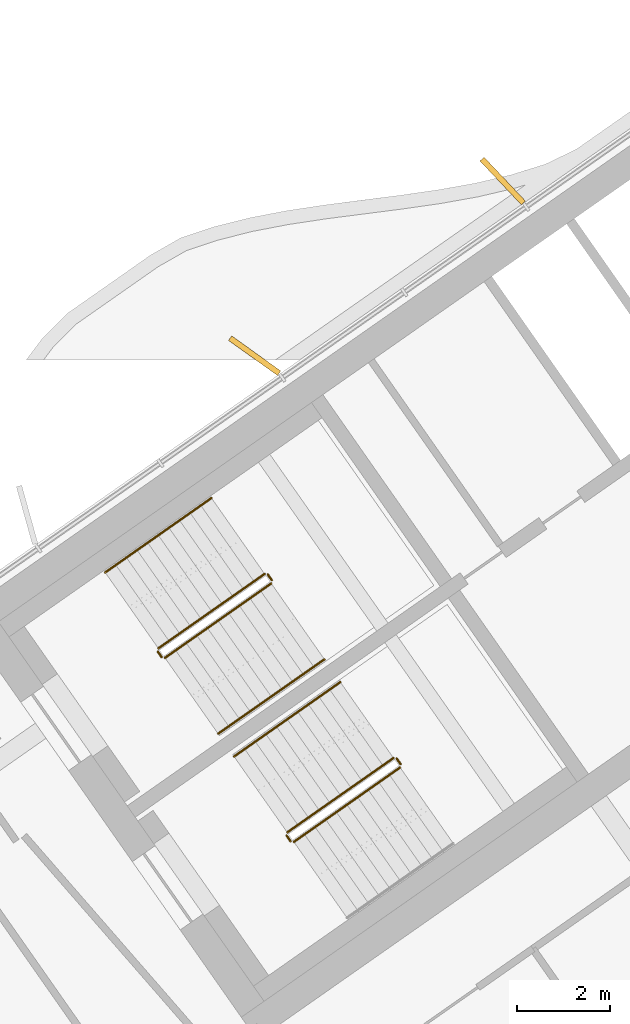
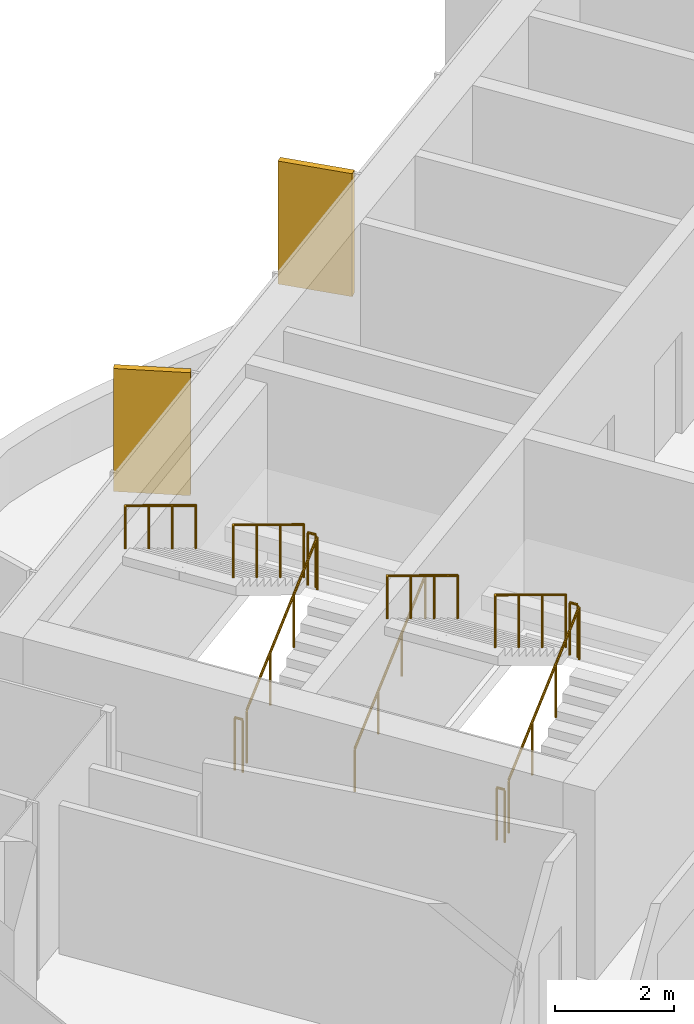
# One storey, part 14 of 17: 11 railings, 2 shading devices.
"""IFC4 building model written with IfcOpenShell, lengths in metres."""

from ifc_helpers import new_model, si_unit, direction, frame, origin, origin_2d, place, context, subcontext, project, spatial, rectangle, circle, extrude, material, layer, layer_set, type_object, element, save


model = new_model("IFC4")

# Units and contexts
model_context = context("Model", 3, precision=1e-05, world=origin(), true_north=direction((0.0, 1.0)))
body_context = subcontext(model_context, "Body", "Model", "MODEL_VIEW")
ifc_project = project(units=[si_unit("LENGTHUNIT", "METRE"), si_unit("AREAUNIT", "SQUARE_METRE"), si_unit("VOLUMEUNIT", "CUBIC_METRE"), si_unit("PLANEANGLEUNIT", "RADIAN"), si_unit("MASSUNIT", "GRAM", prefix="KILO")], contexts=[model_context])

# Site, building, storey
site_placement = place(None, origin())
site = spatial("IfcSite", under=ifc_project, at=site_placement, CompositionType="ELEMENT")
building_placement = place(site_placement, origin())
building = spatial("IfcBuilding", under=site, at=building_placement, Name="Tel Ilan Convention Tower", CompositionType="ELEMENT")
storey_placement = place(building_placement, frame((0.0, 0.0, 276.10009765625)))
storey = spatial("IfcBuildingStorey", under=building, at=storey_placement, Name="L65", CompositionType="ELEMENT", Elevation=276.10009765625)

# Shading devices
ifc_material_1 = material(Name="Aluminium, bronze anodised", Category="aluminium")
ifc_layer = layer(ifc_material_1, 0.1201171875)
ifc_layer_set = layer_set([ifc_layer], Name="FIN BRONZE 1300x120")
shading_device_type = type_object("IfcShadingDeviceType", Name="FIN BRONZE 1300x120", PredefinedType="USERDEFINED", material=ifc_layer_set)
for number, where, z_axis, x_axis, name in (
    (1, (-16.24658203125, 2.2373046875, 1.099853515625), (0.0, 0.0, 1.0), (-0.686241637865, 0.727373641577, 0.0), "FIN"),
    (2, (-21.600830078125, -1.534912109375, 1.099853515625), (0.0, 0.0, 1.0), (-0.813552070258, 0.581492071294, 0.0), "FIN"),
):
    element("IfcShadingDevice", number, at=place(storey_placement, frame(where, z_axis=z_axis, x_axis=x_axis)), inside=storey, type_object=shading_device_type, Name=name, ObjectType="FIN", PredefinedType="USERDEFINED", context=body_context, shape_type="SweptSolid", body=[
        extrude(rectangle(XDim=1.300048828125, YDim=0.1201171875, at=origin_2d()), origin(), (0.0, 0.0, 1.0), 2.52001953125),
    ])

# Railings
ifc_material_2 = material(Name="Stainless Steel Grade 316", Category="steel")
railing_type_1 = type_object("IfcRailingType", Name="Stainless Steel Stair Guard 1100 mm", PredefinedType="GUARDRAIL", material=ifc_material_2)
railing_1_placement = place(storey_placement, frame((-23.535400390625, -8.056396484375, 0.17724609375)))
element("IfcRailing", 3, at=railing_1_placement, inside=storey, type_object=railing_type_1, Name="L65 S1 stair guard 1", PredefinedType="GUARDRAIL", context=body_context, shape_type="SweptSolid", body=[
    extrude(circle(Radius=0.02392578125, at=origin_2d()), frame((0.0, 0.0, 1.076171875), z_axis=(0.692098378994, 0.484653031975, 0.534893701956), x_axis=(-0.573608623498, 0.819129505664, 0.0)), (0.0, 0.0, 1.0), 3.314208984375),
    extrude(circle(Radius=0.02099609375, at=origin_2d()), origin(), (0.0, 0.0, 1.0), 1.052001953125),
    extrude(circle(Radius=0.02099609375, at=origin_2d()), frame((0.7646484375, 0.535400390625, 0.5908203125)), (0.0, 0.0, 1.0), 1.052001953125),
    extrude(circle(Radius=0.02099609375, at=origin_2d()), frame((1.529052734375, 1.07080078125, 1.181884765625)), (0.0, 0.0, 1.0), 1.052001953125),
    extrude(circle(Radius=0.02099609375, at=origin_2d()), frame((2.293701171875, 1.606201171875, 1.772705078125)), (0.0, 0.0, 1.0), 1.052001953125),
])
railing_2_placement = place(storey_placement, frame((-21.2294921875, -6.380615234375, 1.949951171875)))
element("IfcRailing", 4, at=railing_2_placement, inside=storey, type_object=railing_type_1, Name="L65 S1 stair guard 2", PredefinedType="GUARDRAIL", context=body_context, shape_type="SweptSolid", body=[
    extrude(circle(Radius=0.02392578125, at=origin_2d()), frame((0.0, 0.0, 1.076171875), z_axis=(-0.573353020881, 0.819308436089, 0.0), x_axis=(-0.819308436089, -0.573353020881, 0.0)), (0.0, 0.0, 1.0), 0.14990234375),
    extrude(circle(Radius=0.02099609375, at=origin_2d()), origin(), (0.0, 0.0, 1.0), 1.052001953125),
    extrude(circle(Radius=0.02099609375, at=origin_2d()), frame((-0.0859375, 0.122802734375, 0.0)), (0.0, 0.0, 1.0), 1.052001953125),
])
railing_3_placement = place(storey_placement, frame((-21.38525390625, -6.24560546875, 2.127197265625)))
element("IfcRailing", 5, at=railing_3_placement, inside=storey, type_object=railing_type_1, Name="L65 S1 stair guard 3", PredefinedType="GUARDRAIL", context=body_context, shape_type="SweptSolid", body=[
    extrude(circle(Radius=0.02392578125, at=origin_2d()), frame((0.0, 0.0, 1.076171875), z_axis=(-0.692084706163, -0.484621375041, 0.534940073605), x_axis=(0.573591086599, -0.819141785879, 0.0)), (0.0, 0.0, 1.0), 3.313720703125),
    extrude(circle(Radius=0.02099609375, at=origin_2d()), origin(), (0.0, 0.0, 1.0), 1.052001953125),
    extrude(circle(Radius=0.02099609375, at=origin_2d()), frame((-0.764404296875, -0.535400390625, 0.5908203125)), (0.0, 0.0, 1.0), 1.052001953125),
    extrude(circle(Radius=0.02099609375, at=origin_2d()), frame((-1.529052734375, -1.070556640625, 1.181884765625)), (0.0, 0.0, 1.0), 1.052001953125),
    extrude(circle(Radius=0.02099609375, at=origin_2d()), frame((-2.29345703125, -1.60595703125, 1.772705078125)), (0.0, 0.0, 1.0), 1.052001953125),
])
railing_4_placement = place(storey_placement, frame((-23.60498046875, -8.0439453125, 0.0)))
element("IfcRailing", 6, at=railing_4_placement, inside=storey, type_object=railing_type_1, Name="L65 S1 stair guard 4", PredefinedType="GUARDRAIL", context=body_context, shape_type="SweptSolid", body=[
    extrude(circle(Radius=0.02392578125, at=origin_2d()), frame((0.0, 0.0, 1.076171875), z_axis=(-0.574444878118, 0.818543268254, 0.0), x_axis=(-0.818543268254, -0.574444878118, 0.0)), (0.0, 0.0, 1.0), 0.150146484375),
    extrude(circle(Radius=0.02099609375, at=origin_2d()), origin(), (0.0, 0.0, 1.0), 1.052001953125),
    extrude(circle(Radius=0.02099609375, at=origin_2d()), frame((-0.086181640625, 0.122802734375, 0.0)), (0.0, 0.0, 1.0), 1.052001953125),
])
railing_5_placement = place(storey_placement, frame((-20.753662109375, -12.029296875, 0.17724609375)))
element("IfcRailing", 7, at=railing_5_placement, inside=storey, type_object=railing_type_1, Name="L65 S2 stair guard 1", PredefinedType="GUARDRAIL", context=body_context, shape_type="SweptSolid", body=[
    extrude(circle(Radius=0.02392578125, at=origin_2d()), frame((0.0, 0.0, 1.076171875), z_axis=(0.692098378994, 0.484653031975, 0.534893701956), x_axis=(-0.573608623498, 0.819129505664, 0.0)), (0.0, 0.0, 1.0), 3.314208984375),
    extrude(circle(Radius=0.02099609375, at=origin_2d()), origin(), (0.0, 0.0, 1.0), 1.052001953125),
    extrude(circle(Radius=0.02099609375, at=origin_2d()), frame((0.7646484375, 0.535400390625, 0.5908203125)), (0.0, 0.0, 1.0), 1.052001953125),
    extrude(circle(Radius=0.02099609375, at=origin_2d()), frame((1.529052734375, 1.07080078125, 1.181884765625)), (0.0, 0.0, 1.0), 1.052001953125),
    extrude(circle(Radius=0.02099609375, at=origin_2d()), frame((2.293701171875, 1.606201171875, 1.772705078125)), (0.0, 0.0, 1.0), 1.052001953125),
])
railing_6_placement = place(storey_placement, frame((-18.44775390625, -10.353515625, 1.949951171875)))
element("IfcRailing", 8, at=railing_6_placement, inside=storey, type_object=railing_type_1, Name="L65 S2 stair guard 2", PredefinedType="GUARDRAIL", context=body_context, shape_type="SweptSolid", body=[
    extrude(circle(Radius=0.02392578125, at=origin_2d()), frame((0.0, 0.0, 1.076171875), z_axis=(-0.573353020881, 0.819308436089, 0.0), x_axis=(-0.819308436089, -0.573353020881, 0.0)), (0.0, 0.0, 1.0), 0.14990234375),
    extrude(circle(Radius=0.02099609375, at=origin_2d()), origin(), (0.0, 0.0, 1.0), 1.052001953125),
    extrude(circle(Radius=0.02099609375, at=origin_2d()), frame((-0.0859375, 0.122802734375, 0.0)), (0.0, 0.0, 1.0), 1.052001953125),
])
railing_7_placement = place(storey_placement, frame((-18.603271484375, -10.218505859375, 2.127197265625)))
element("IfcRailing", 9, at=railing_7_placement, inside=storey, type_object=railing_type_1, Name="L65 S2 stair guard 3", PredefinedType="GUARDRAIL", context=body_context, shape_type="SweptSolid", body=[
    extrude(circle(Radius=0.02392578125, at=origin_2d()), frame((0.0, 0.0, 1.076171875), z_axis=(-0.692123088272, -0.484596665743, 0.534912798717), x_axis=(0.573550118428, -0.819170471667, 0.0)), (0.0, 0.0, 1.0), 3.31396484375),
    extrude(circle(Radius=0.02099609375, at=origin_2d()), origin(), (0.0, 0.0, 1.0), 1.052001953125),
    extrude(circle(Radius=0.02099609375, at=origin_2d()), frame((-0.7646484375, -0.535400390625, 0.5908203125)), (0.0, 0.0, 1.0), 1.052001953125),
    extrude(circle(Radius=0.02099609375, at=origin_2d()), frame((-1.529052734375, -1.070556640625, 1.181884765625)), (0.0, 0.0, 1.0), 1.052001953125),
    extrude(circle(Radius=0.02099609375, at=origin_2d()), frame((-2.293701171875, -1.60595703125, 1.772705078125)), (0.0, 0.0, 1.0), 1.052001953125),
])
railing_8_placement = place(storey_placement, frame((-20.8232421875, -12.016845703125, 0.0)))
element("IfcRailing", 10, at=railing_8_placement, inside=storey, type_object=railing_type_1, Name="L65 S2 stair guard 4", PredefinedType="GUARDRAIL", context=body_context, shape_type="SweptSolid", body=[
    extrude(circle(Radius=0.02392578125, at=origin_2d()), frame((0.0, 0.0, 1.076171875), z_axis=(-0.573353020881, 0.819308436089, 0.0), x_axis=(-0.819308436089, -0.573353020881, 0.0)), (0.0, 0.0, 1.0), 0.14990234375),
    extrude(circle(Radius=0.02099609375, at=origin_2d()), origin(), (0.0, 0.0, 1.0), 1.052001953125),
    extrude(circle(Radius=0.02099609375, at=origin_2d()), frame((-0.0859375, 0.122802734375, 0.0)), (0.0, 0.0, 1.0), 1.052001953125),
])
ifc_material_3 = material(Name="Stainless Steel Grade 316", Category="steel")
railing_type_2 = type_object("IfcRailingType", Name="Stainless Steel Stair Handrail 900 mm", PredefinedType="HANDRAIL", material=ifc_material_3)
railing_9_placement = place(storey_placement, frame((-22.38818359375, -9.694580078125, 0.17724609375)))
element("IfcRailing", 11, at=railing_9_placement, inside=storey, type_object=railing_type_2, Name="L65 S1 stair handrail 1", PredefinedType="HANDRAIL", context=body_context, shape_type="SweptSolid", body=[
    extrude(circle(Radius=0.02392578125, at=origin_2d()), frame((0.0, 0.0, 0.8759765625), z_axis=(0.692084706163, 0.484621375041, 0.534940073605), x_axis=(-0.573591086599, 0.819141785879, 0.0)), (0.0, 0.0, 1.0), 3.313720703125),
    extrude(circle(Radius=0.02099609375, at=origin_2d()), origin(), (0.0, 0.0, 1.0), 0.851806640625),
    extrude(circle(Radius=0.02099609375, at=origin_2d()), frame((0.764404296875, 0.535400390625, 0.5908203125)), (0.0, 0.0, 1.0), 0.851806640625),
    extrude(circle(Radius=0.02099609375, at=origin_2d()), frame((1.529052734375, 1.070556640625, 1.181884765625)), (0.0, 0.0, 1.0), 0.851806640625),
    extrude(circle(Radius=0.02099609375, at=origin_2d()), frame((2.29345703125, 1.60595703125, 1.772705078125)), (0.0, 0.0, 1.0), 0.851806640625),
])
for number, where, name in (
    (12, (-22.5322265625, -4.607177734375, 2.127197265625), "L65 S1 stair handrail 2"),
    (13, (-19.75048828125, -8.580078125, 2.127197265625), "L65 S2 stair handrail 2"),
):
    element("IfcRailing", number, at=place(storey_placement, frame(where)), inside=storey, type_object=railing_type_2, Name=name, PredefinedType="HANDRAIL", context=body_context, shape_type="SweptSolid", body=[
        extrude(circle(Radius=0.02392578125, at=origin_2d()), frame((0.0, 0.0, 0.8759765625), z_axis=(-0.692123088272, -0.484596665743, 0.534912798717), x_axis=(0.573550118428, -0.819170471667, 0.0)), (0.0, 0.0, 1.0), 3.31396484375),
        extrude(circle(Radius=0.02099609375, at=origin_2d()), origin(), (0.0, 0.0, 1.0), 0.851806640625),
        extrude(circle(Radius=0.02099609375, at=origin_2d()), frame((-0.7646484375, -0.535400390625, 0.5908203125)), (0.0, 0.0, 1.0), 0.851806640625),
        extrude(circle(Radius=0.02099609375, at=origin_2d()), frame((-1.529052734375, -1.070556640625, 1.181884765625)), (0.0, 0.0, 1.0), 0.851806640625),
        extrude(circle(Radius=0.02099609375, at=origin_2d()), frame((-2.293701171875, -1.60595703125, 1.772705078125)), (0.0, 0.0, 1.0), 0.851806640625),
    ])

save(model, "model.ifc")
